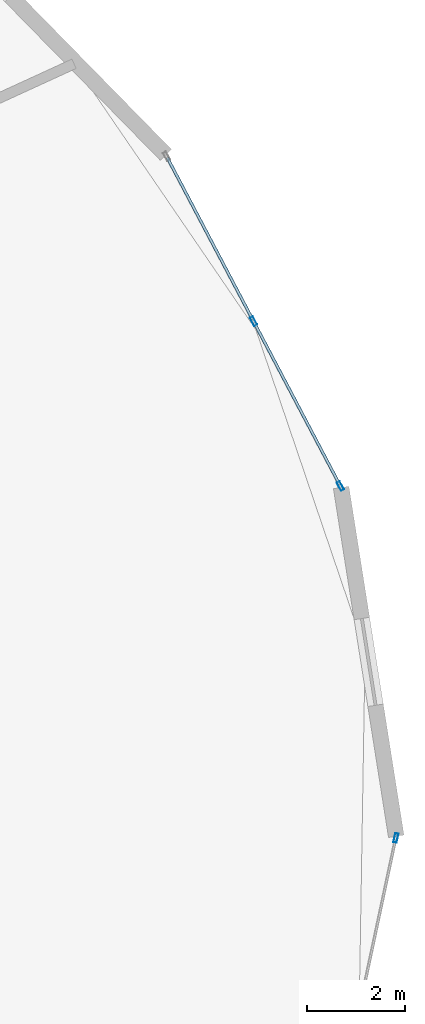
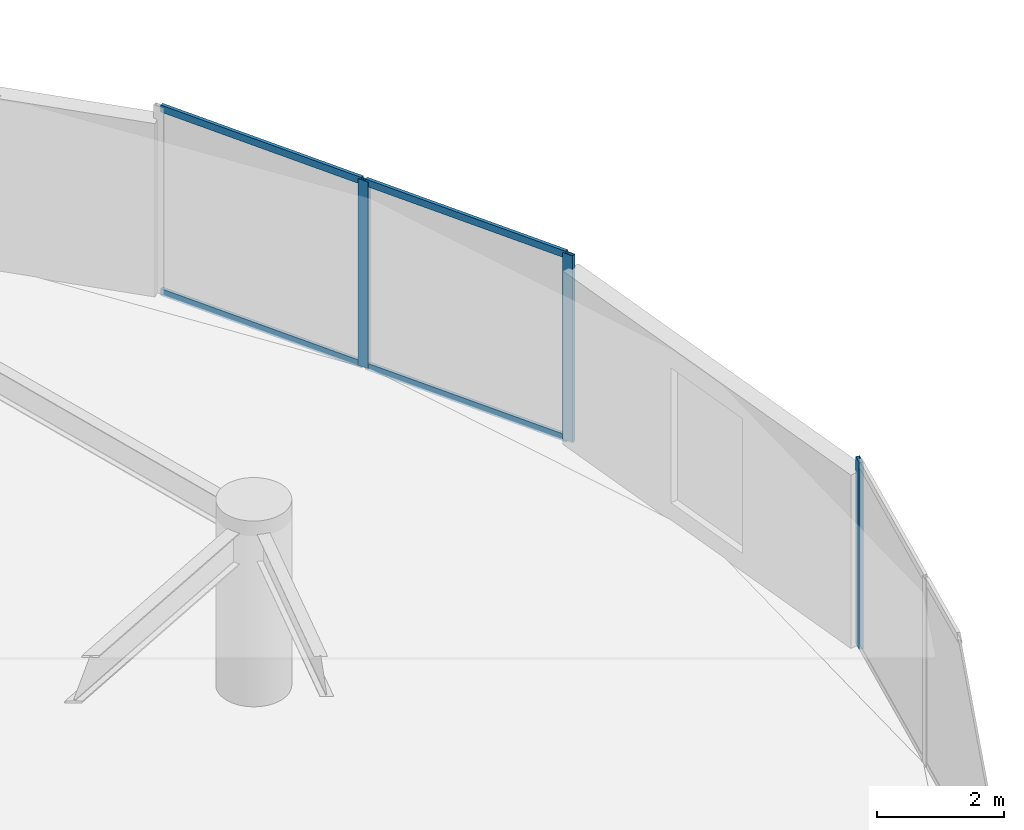
# One storey, part 12 of 24: 7 members, 2 elements without a shape of their own.
"""IFC4 building model written with IfcOpenShell, lengths in metres."""

from ifc_helpers import new_model, si_unit, direction, frame, origin, origin_2d, place, context, subcontext, project, spatial, hollow_rectangle, extrude, source, transform, mapped, material, layer, layer_set, material_profile, profile_set, type_object, element, aggregate, save


model = new_model("IFC4")

# Units and contexts
model_context = context("Model", 3, precision=1e-05, world=origin(), true_north=direction((0.0, 1.0)))
body_context = subcontext(model_context, "Body", "Model", "MODEL_VIEW")
ifc_project = project(units=[si_unit("LENGTHUNIT", "METRE"), si_unit("AREAUNIT", "SQUARE_METRE"), si_unit("VOLUMEUNIT", "CUBIC_METRE"), si_unit("PLANEANGLEUNIT", "RADIAN"), si_unit("MASSUNIT", "GRAM", prefix="KILO")], contexts=[model_context])

# Site, building, storey
site_placement = place(None, origin())
site = spatial("IfcSite", under=ifc_project, at=site_placement, CompositionType="ELEMENT")
building_placement = place(site_placement, origin())
building = spatial("IfcBuilding", under=site, at=building_placement, Name="Solvirekh Grand Hotel", CompositionType="ELEMENT")
storey_placement = place(building_placement, frame((0.0, 0.0, 82.39990234375)))
storey = spatial("IfcBuildingStorey", under=building, at=storey_placement, Name="L20", CompositionType="ELEMENT", Elevation=82.39990234375)

# Curtain wall, member
ifc_material = material(Name="Anodized Bronze Aluminium 6063-T6", Category="aluminium")
ifc_layer = layer(ifc_material, 0.18994140625)
ifc_layer_set = layer_set([ifc_layer], Name="Anodized Bronze Aluminium 6063-T6")
curtain_wall_type = type_object("IfcCurtainWallType", Name="CW_Sys2_LowZoneFlushBronzeCW", PredefinedType="NOTDEFINED", material=ifc_layer_set)
curtain_wall_1_placement = place(storey_placement, origin())
curtain_wall_1 = element("IfcCurtainWall", 1, at=curtain_wall_1_placement, inside=storey, type_object=curtain_wall_type, Name="L20 unitised bronze-glass curtain wall CW-L20-C01", PredefinedType="NOTDEFINED")
ifc_material_profile_1 = material_profile(ifc_material, hollow_rectangle(XDim=0.070068359375, YDim=0.18994140625, WallThickness=0.0048828125, at=origin_2d()), Name="ALU RHS 190X70X5")
ifc_profile_set_1 = profile_set([ifc_material_profile_1], Name="Anodized Bronze Aluminium 6063-T6")
member_type_1 = type_object("IfcMemberType", Name="CWMullion_Sys2", PredefinedType="MULLION", material=ifc_profile_set_1)
shared_shape_1 = source(origin(), body_context, "Body", "SweptSolid", [
    extrude(hollow_rectangle(XDim=0.070068359375, YDim=0.18994140625, WallThickness=0.0048828125, at=origin_2d()), origin(), (0.0, 0.0, 1.0), 3.60009765625),
])
member_1_placement = place(storey_placement, frame((27.43359375, -3.828125, 0.0), z_axis=(0.0, 0.0, 1.0), x_axis=(-0.97799008642, 0.208651362001, 0.0)))
member_1 = element("IfcMember", 2, at=member_1_placement, type_object=member_type_1, Name="U02 mullion 3", PredefinedType="MULLION", context=body_context, shape_type="MappedRepresentation", body=[
    mapped(shared_shape_1, transform((0.0, 0.0, 0.0), x_axis=(1.0, 0.0, 0.0), y_axis=(0.0, 1.0, 0.0), z_axis=(0.0, 0.0, 1.0), scale=1.0)),
])
aggregate(curtain_wall_1, [member_1])

# Curtain wall, members
curtain_wall_2_placement = place(storey_placement, origin())
curtain_wall_2 = element("IfcCurtainWall", 3, at=curtain_wall_2_placement, inside=storey, type_object=curtain_wall_type, Name="L20 unitised bronze-glass curtain wall CW-L20-C03", PredefinedType="NOTDEFINED")
member_2_placement = place(storey_placement, frame((26.295654296875, 3.382080078125, 0.0), z_axis=(0.0, 0.0, 1.0), x_axis=(-0.884670335784, -0.466217113569, 0.0)))
member_2 = element("IfcMember", 4, at=member_2_placement, type_object=member_type_1, Name="U02 mullion 1", PredefinedType="MULLION", context=body_context, shape_type="MappedRepresentation", body=[
    mapped(shared_shape_1, transform((0.0, 0.0, 0.0), x_axis=(1.0, 0.0, 0.0), y_axis=(0.0, 1.0, 0.0), z_axis=(0.0, 0.0, 1.0), scale=1.0)),
])
member_3_placement = place(storey_placement, frame((24.51611328125, 6.759033203125, 0.0), z_axis=(0.0, 0.0, 1.0), x_axis=(-0.884670335784, -0.466217113569, 0.0)))
member_3 = element("IfcMember", 5, at=member_3_placement, type_object=member_type_1, Name="U02 mullion 2", PredefinedType="MULLION", context=body_context, shape_type="MappedRepresentation", body=[
    mapped(shared_shape_1, transform((0.0, 0.0, 0.0), x_axis=(1.0, 0.0, 0.0), y_axis=(0.0, 1.0, 0.0), z_axis=(0.0, 0.0, 1.0), scale=1.0)),
])
ifc_material_profile_2 = material_profile(ifc_material, hollow_rectangle(XDim=0.06005859375, YDim=0.135009765625, WallThickness=0.00390625, at=origin_2d()), Name="ALU RHS 135X60X4")
ifc_profile_set_2 = profile_set([ifc_material_profile_2], Name="Anodized Bronze Aluminium 6063-T6")
member_type_2 = type_object("IfcMemberType", Name="CWTransom_Sys2", PredefinedType="USERDEFINED", material=ifc_profile_set_2)
shared_shape_2 = source(origin(), body_context, "Body", "SweptSolid", [
    extrude(hollow_rectangle(XDim=0.06005859375, YDim=0.135009765625, WallThickness=0.00390625, at=origin_2d()), origin(), (0.0, 0.0, 1.0), 3.747314453125),
])
member_4_placement = place(storey_placement, frame((26.279296875, 3.412841796875, 0.030029296875), z_axis=(-0.466213582634, 0.884672196561, 0.0), x_axis=(-0.884672196561, -0.466213582634, 0.0)))
member_4 = element("IfcMember", 6, at=member_4_placement, type_object=member_type_2, Name="U02 transom 1.1", ObjectType="TRANSOM", PredefinedType="USERDEFINED", context=body_context, shape_type="MappedRepresentation", body=[
    mapped(shared_shape_2, transform((0.0, 0.0, 0.0), x_axis=(1.0, 0.0, 0.0), y_axis=(0.0, 1.0, 0.0), z_axis=(0.0, 0.0, 1.0), scale=1.0)),
])
member_5_placement = place(storey_placement, frame((26.279296875, 3.412841796875, 3.570068359375), z_axis=(-0.466213582634, 0.884672196561, 0.0), x_axis=(-0.884672196561, -0.466213582634, 0.0)))
member_5 = element("IfcMember", 7, at=member_5_placement, type_object=member_type_2, Name="U02 transom 1.2", ObjectType="TRANSOM", PredefinedType="USERDEFINED", context=body_context, shape_type="MappedRepresentation", body=[
    mapped(shared_shape_2, transform((0.0, 0.0, 0.0), x_axis=(1.0, 0.0, 0.0), y_axis=(0.0, 1.0, 0.0), z_axis=(0.0, 0.0, 1.0), scale=1.0)),
])
shared_shape_3 = source(origin(), body_context, "Body", "SweptSolid", [
    extrude(hollow_rectangle(XDim=0.06005859375, YDim=0.135009765625, WallThickness=0.00390625, at=origin_2d()), origin(), (0.0, 0.0, 1.0), 3.7470703125),
])
member_6_placement = place(storey_placement, frame((24.499755859375, 6.7900390625, 0.030029296875), z_axis=(-0.466240454848, 0.884658034646, 0.0), x_axis=(-0.884658034646, -0.466240454848, 0.0)))
member_6 = element("IfcMember", 8, at=member_6_placement, type_object=member_type_2, Name="U02 transom 2.1", ObjectType="TRANSOM", PredefinedType="USERDEFINED", context=body_context, shape_type="MappedRepresentation", body=[
    mapped(shared_shape_3, transform((0.0, 0.0, 0.0), x_axis=(1.0, 0.0, 0.0), y_axis=(0.0, 1.0, 0.0), z_axis=(0.0, 0.0, 1.0), scale=1.0)),
])
member_7_placement = place(storey_placement, frame((24.499755859375, 6.7900390625, 3.570068359375), z_axis=(-0.466240454848, 0.884658034646, 0.0), x_axis=(-0.884658034646, -0.466240454848, 0.0)))
member_7 = element("IfcMember", 9, at=member_7_placement, type_object=member_type_2, Name="U02 transom 2.2", ObjectType="TRANSOM", PredefinedType="USERDEFINED", context=body_context, shape_type="MappedRepresentation", body=[
    mapped(shared_shape_3, transform((0.0, 0.0, 0.0), x_axis=(1.0, 0.0, 0.0), y_axis=(0.0, 1.0, 0.0), z_axis=(0.0, 0.0, 1.0), scale=1.0)),
])
aggregate(curtain_wall_2, [member_2, member_3, member_4, member_5, member_6, member_7])

save(model, "model.ifc")
